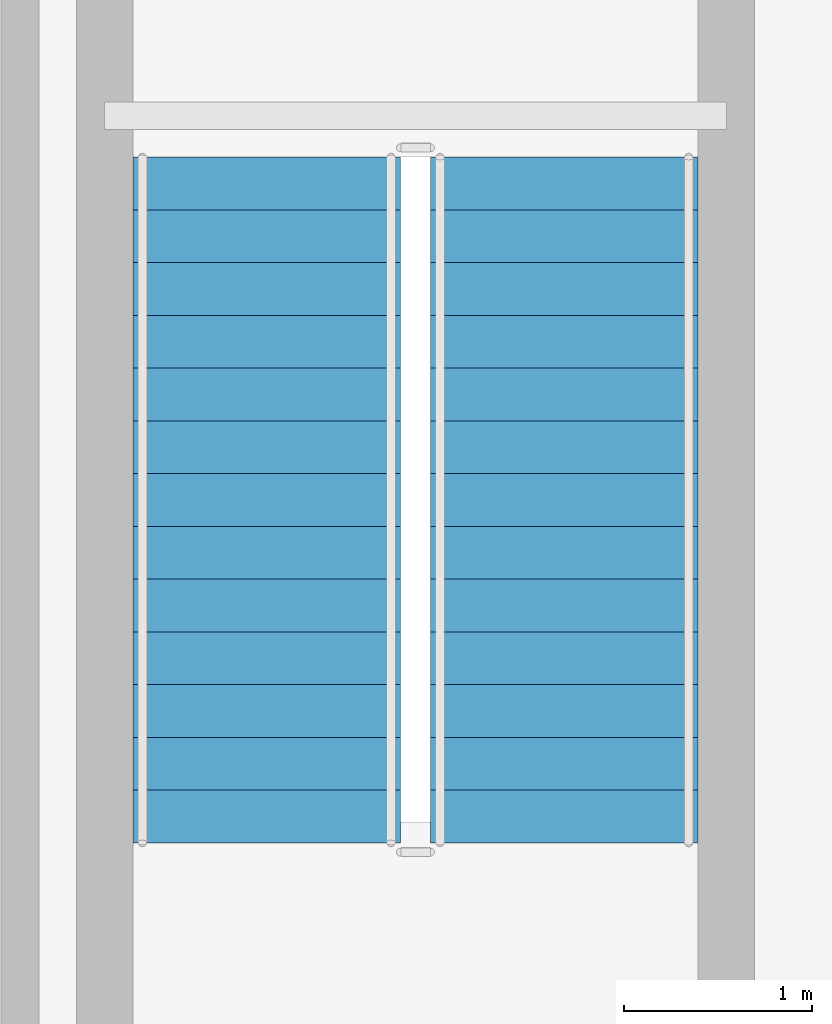
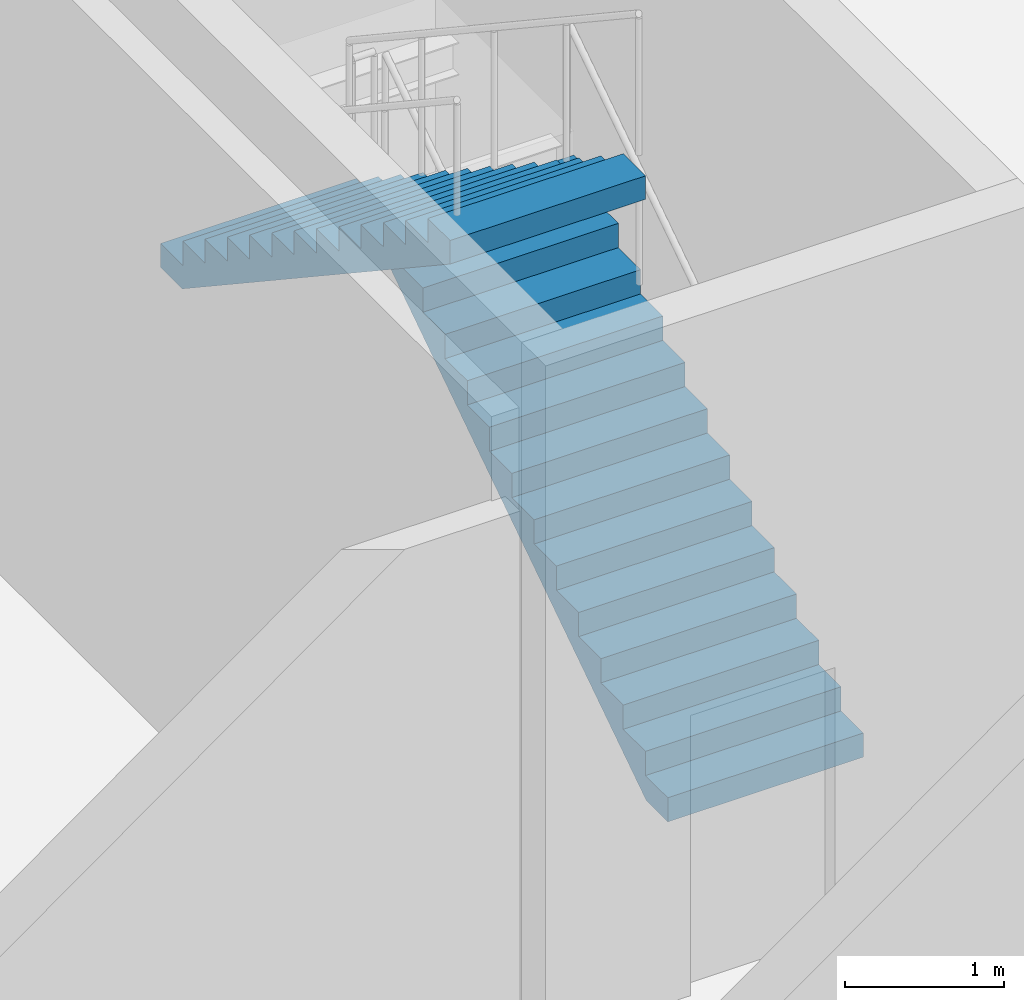
# One storey, part 36 of 43: 2 stair flights, 1 element without a shape of its own.
"""IFC4 building model written with IfcOpenShell, lengths in metres."""

from ifc_helpers import new_model, si_unit, direction, frame, origin, place, context, subcontext, project, spatial, polyline, outline, extrude, material, type_object, element, aggregate, save


model = new_model("IFC4")

# Units and contexts
model_context = context("Model", 3, precision=1e-05, world=origin(), true_north=direction((0.0, 1.0)))
body_context = subcontext(model_context, "Body", "Model", "MODEL_VIEW")
ifc_project = project(units=[si_unit("LENGTHUNIT", "METRE"), si_unit("AREAUNIT", "SQUARE_METRE"), si_unit("VOLUMEUNIT", "CUBIC_METRE"), si_unit("PLANEANGLEUNIT", "RADIAN"), si_unit("MASSUNIT", "GRAM", prefix="KILO")], contexts=[model_context])

# Site, building, storey
site_placement = place(None, origin())
site = spatial("IfcSite", under=ifc_project, at=site_placement, CompositionType="ELEMENT")
building_placement = place(site_placement, origin())
building = spatial("IfcBuilding", under=site, at=building_placement, Name="Orvanel Arch Residences", CompositionType="ELEMENT")
storey_placement = place(building_placement, frame((0.0, 0.0, 18.39990234375)))
storey = spatial("IfcBuildingStorey", under=building, at=storey_placement, Name="L04", CompositionType="ELEMENT", Elevation=18.39990234375)

# Stair, stair flights
ifc_material = material(Name="Precast concrete N50 (50 MPa)", Category="concrete")
stair_type = type_object("IfcStairType", Name="STR-DOG-184", PredefinedType="USERDEFINED", material=ifc_material)
stair_placement = place(storey_placement, origin())
stair = element("IfcStair", 1, at=stair_placement, inside=storey, type_object=stair_type, Name="L04 East Podium Fire-Isolated Exit Stair 4", ObjectType="TWO_RETURN_STAIR", PredefinedType="USERDEFINED")
stair_flight_type = type_object("IfcStairFlightType", Name="SFL-C4-184", PredefinedType="STRAIGHT", material=ifc_material)
stair_flight_1_placement = place(storey_placement, frame((53.68994140625, 40.419921875, 0.0), z_axis=(0.0, 0.0, 1.0), x_axis=(0.0, 1.0, 0.0)))
stair_flight_1 = element("IfcStairFlight", 2, at=stair_flight_1_placement, type_object=stair_flight_type, Name="ST-4 flight 1", NumberOfRisers=14, NumberOfTreads=13, PredefinedType="STRAIGHT", RiserHeight=0.185714286, TreadLength=0.28, context=body_context, shape_type="SweptSolid", body=[
    extrude(outline(polyline([(0.0, 0.0), (0.0, 0.185791015625), (0.280029296875, 0.185791015625), (0.280029296875, 0.371337890625), (0.56005859375, 0.371337890625), (0.56005859375, 0.55712890625), (0.840087890625, 0.55712890625), (0.840087890625, 0.742919921875), (1.1201171875, 0.742919921875), (1.1201171875, 0.928466796875), (1.39990234375, 0.928466796875), (1.39990234375, 1.1142578125), (1.679931640625, 1.1142578125), (1.679931640625, 1.300048828125), (1.9599609375, 1.300048828125), (1.9599609375, 1.485595703125), (2.239990234375, 1.485595703125), (2.239990234375, 1.67138671875), (2.52001953125, 1.67138671875), (2.52001953125, 1.857177734375), (2.800048828125, 1.857177734375), (2.800048828125, 2.04296875), (3.080078125, 2.04296875), (3.080078125, 2.228515625), (3.360107421875, 2.228515625), (3.360107421875, 2.414306640625), (3.639892578125, 2.414306640625), (3.639892578125, 2.60009765625), (3.639892578125, 2.234375), (0.271240234375, 0.0), (0.0, 0.0)])), frame((0.0, 0.7099609375, 0.0), z_axis=(0.0, -1.0, 0.0), x_axis=(1.0, 0.0, 0.0)), (0.0, 0.0, 1.0), 1.419921875),
])
stair_flight_2_placement = place(storey_placement, frame((52.110107421875, 44.06005859375, 2.60009765625), z_axis=(0.0, 0.0, 1.0), x_axis=(0.0, -1.0, 0.0)))
stair_flight_2 = element("IfcStairFlight", 3, at=stair_flight_2_placement, type_object=stair_flight_type, Name="ST-4 flight 2", NumberOfRisers=14, NumberOfTreads=13, PredefinedType="STRAIGHT", RiserHeight=0.185714286, TreadLength=0.28, context=body_context, shape_type="SweptSolid", body=[
    extrude(outline(polyline([(0.0, 0.0), (0.0, 0.185791015625), (0.280029296875, 0.185791015625), (0.280029296875, 0.371337890625), (0.56005859375, 0.371337890625), (0.56005859375, 0.55712890625), (0.840087890625, 0.55712890625), (0.840087890625, 0.742919921875), (1.1201171875, 0.742919921875), (1.1201171875, 0.928466796875), (1.39990234375, 0.928466796875), (1.39990234375, 1.1142578125), (1.679931640625, 1.1142578125), (1.679931640625, 1.300048828125), (1.9599609375, 1.300048828125), (1.9599609375, 1.485595703125), (2.239990234375, 1.485595703125), (2.239990234375, 1.67138671875), (2.52001953125, 1.67138671875), (2.52001953125, 1.857177734375), (2.800048828125, 1.857177734375), (2.800048828125, 2.04296875), (3.080078125, 2.04296875), (3.080078125, 2.228515625), (3.360107421875, 2.228515625), (3.360107421875, 2.414306640625), (3.639892578125, 2.414306640625), (3.639892578125, 2.60009765625), (3.639892578125, 2.234375), (0.271240234375, 0.0), (0.0, 0.0)])), frame((0.0, 0.7099609375, 0.0), z_axis=(0.0, -1.0, 0.0), x_axis=(1.0, 0.0, 0.0)), (0.0, 0.0, 1.0), 1.419921875),
])
aggregate(stair, [stair_flight_1, stair_flight_2])

save(model, "model.ifc")
